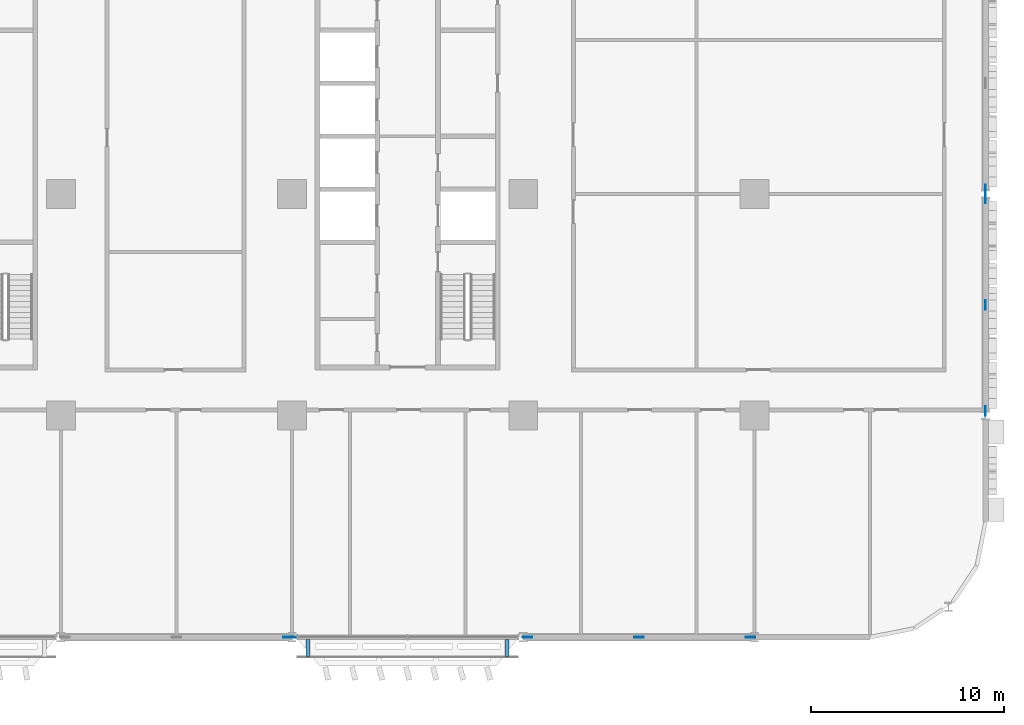
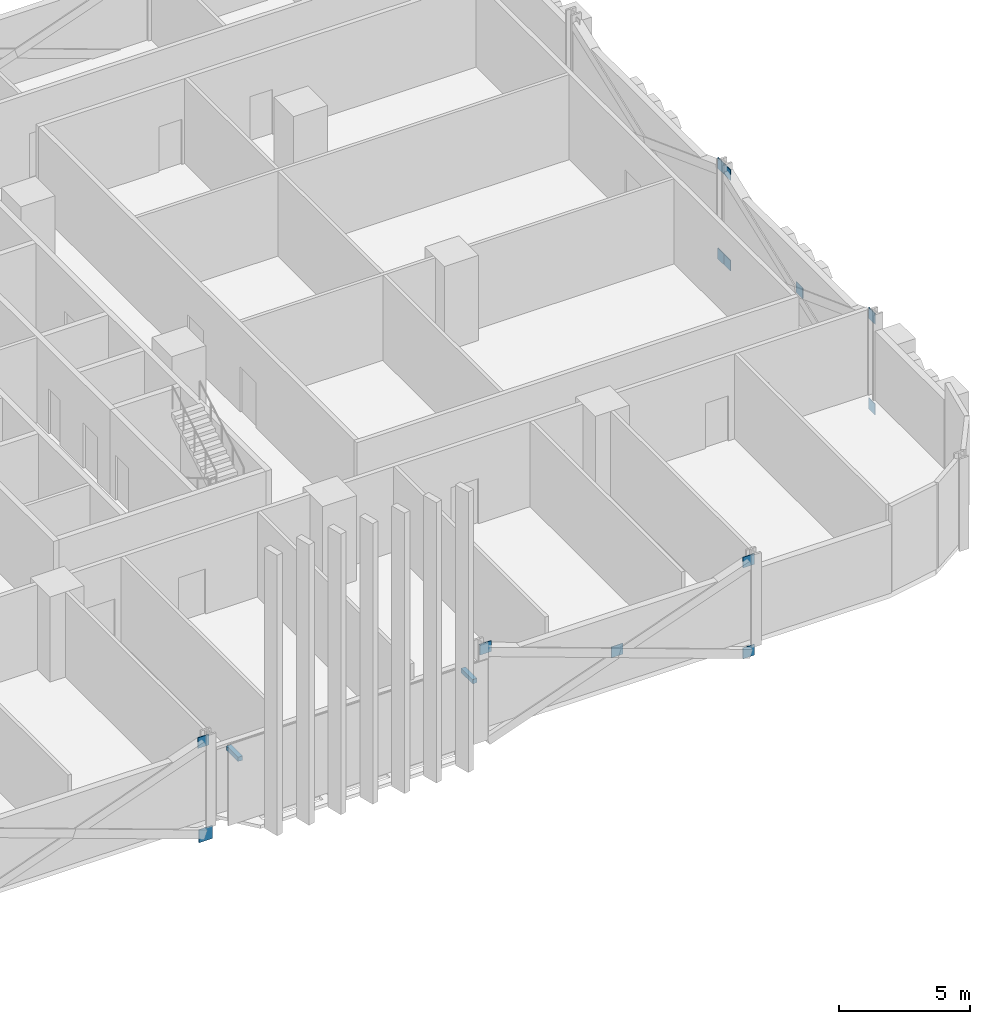
# One storey, part 19 of 29: 15 discrete accessories.
"""IFC4 building model written with IfcOpenShell, lengths in metres."""

from ifc_helpers import new_model, si_unit, direction, frame, origin, origin_2d, place, context, subcontext, project, spatial, rectangle, extrude, material, layer, layer_set, type_object, element, save


model = new_model("IFC4")

# Units and contexts
model_context = context("Model", 3, precision=1e-05, world=origin(), true_north=direction((0.0, 1.0)))
body_context = subcontext(model_context, "Body", "Model", "MODEL_VIEW")
ifc_project = project(units=[si_unit("LENGTHUNIT", "METRE"), si_unit("AREAUNIT", "SQUARE_METRE"), si_unit("VOLUMEUNIT", "CUBIC_METRE"), si_unit("PLANEANGLEUNIT", "RADIAN"), si_unit("MASSUNIT", "GRAM", prefix="KILO")], contexts=[model_context])

# Site, building, storey
site_placement = place(None, origin())
site = spatial("IfcSite", under=ifc_project, at=site_placement, CompositionType="ELEMENT")
building_placement = place(site_placement, origin())
building = spatial("IfcBuilding", under=site, at=building_placement, Name="Mahtab Terrace Research Tower", CompositionType="ELEMENT")
storey_placement = place(building_placement, frame((0.0, 0.0, 46.0)))
storey = spatial("IfcBuildingStorey", under=building, at=storey_placement, Name="L10", CompositionType="ELEMENT", Elevation=46.0)

# Discrete accessories
ifc_material_1 = material(Name="Black anodised aluminium", Category="aluminium")
discrete_accessory_type_1 = type_object("IfcDiscreteAccessoryType", Name="Facade bracket", PredefinedType="BRACKET", material=ifc_material_1)
for number, where, z_axis, x_axis, name in (
    (1, (18.837890625, -23.5625, 2.9033203125), (0.0, 0.0, 1.0), (1.0, 0.0, 0.0), "Screen bracket Girih screen L10 S29"),
    (2, (29.162109375, -23.5625, 2.9033203125), (0.0, 0.0, 1.0), (1.0, 0.0, 0.0), "Screen bracket Girih screen L10 S29"),
):
    element("IfcDiscreteAccessory", number, at=place(storey_placement, frame(where, z_axis=z_axis, x_axis=x_axis)), inside=storey, type_object=discrete_accessory_type_1, Name=name, PredefinedType="BRACKET", context=body_context, shape_type="SweptSolid", body=[
        extrude(rectangle(XDim=0.199951171875, YDim=0.875, at=origin_2d()), origin(), (0.0, 0.0, 1.0), 0.199951171875),
    ])
ifc_material_2 = material(Name="Steel ASTM A992 Gr 50", Category="steel")
ifc_layer_1 = layer(ifc_material_2, 0.030029296875)
ifc_layer_set_1 = layer_set([ifc_layer_1], Name="Gusset plate 500x500x30")
discrete_accessory_type_2 = type_object("IfcDiscreteAccessoryType", Name="Gusset plate 500x500x30", PredefinedType="USERDEFINED", material=ifc_layer_set_1)
for number, where, z_axis, x_axis, name in (
    (3, (17.787841796875, -23.0, 3.33154296875), (0.0, 0.0, 1.0), (1.0, 0.0, 0.0), "Gusset plate"),
    (4, (30.212158203125, -23.0, 3.33154296875), (0.0, 0.0, 1.0), (1.0, 0.0, 0.0), "Gusset plate"),
    (5, (36.0, -23.0, 1.181396484375), (0.0, 0.0, 1.0), (1.0, 0.0, 0.0), "Gusset plate"),
    (6, (41.787841796875, -23.0, -0.892333984375), (0.0, 0.0, 1.0), (1.0, 0.0, 0.0), "Gusset plate"),
    (7, (41.787841796875, -23.0, 3.33154296875), (0.0, 0.0, 1.0), (1.0, 0.0, 0.0), "Gusset plate"),
    (8, (54.0, -11.262451171875, -0.879638671875), (0.0, 0.0, 1.0), (0.0, 1.0, 0.0), "Gusset plate"),
    (9, (54.0, -11.262451171875, 3.33154296875), (0.0, 0.0, 1.0), (0.0, 1.0, 0.0), "Gusset plate"),
    (10, (54.0, -5.75, 1.181396484375), (0.0, 0.0, 1.0), (0.0, 1.0, 0.0), "Gusset plate"),
    (11, (54.0, -0.237548828125, -0.879638671875), (0.0, 0.0, 1.0), (0.0, 1.0, 0.0), "Gusset plate"),
    (12, (54.0, -0.237548828125, 3.33154296875), (0.0, 0.0, 1.0), (0.0, 1.0, 0.0), "Gusset plate"),
    (13, (54.0, 0.237548828125, -0.879638671875), (0.0, 0.0, 1.0), (0.0, 1.0, 0.0), "Gusset plate"),
    (14, (54.0, 0.237548828125, 3.33154296875), (0.0, 0.0, 1.0), (0.0, 1.0, 0.0), "Gusset plate"),
):
    element("IfcDiscreteAccessory", number, at=place(storey_placement, frame(where, z_axis=z_axis, x_axis=x_axis)), inside=storey, type_object=discrete_accessory_type_2, Name=name, ObjectType="GUSSET PLATE", PredefinedType="USERDEFINED", context=body_context, shape_type="SweptSolid", body=[
        extrude(rectangle(XDim=0.5, YDim=0.030029296875, at=origin_2d()), origin(), (0.0, 0.0, 1.0), 0.5),
    ])
ifc_layer_2 = layer(ifc_material_2, 0.030029296875)
ifc_layer_set_2 = layer_set([ifc_layer_2], Name="Gusset plate 600x600x30")
discrete_accessory_type_3 = type_object("IfcDiscreteAccessoryType", Name="Gusset plate 600x600x30", PredefinedType="USERDEFINED", material=ifc_layer_set_2)
discrete_accessory_placement = place(storey_placement, frame((17.89404296875, -23.0, -1.070556640625), z_axis=(0.0, 0.0, 1.0), x_axis=(1.0, 0.0, 0.0)))
element("IfcDiscreteAccessory", 15, at=discrete_accessory_placement, inside=storey, type_object=discrete_accessory_type_3, Name="Gusset plate", ObjectType="GUSSET PLATE", PredefinedType="USERDEFINED", context=body_context, shape_type="SweptSolid", body=[
    extrude(rectangle(XDim=0.60009765625, YDim=0.030029296875, at=origin_2d()), origin(), (0.0, 0.0, 1.0), 0.60009765625),
])

save(model, "model.ifc")
